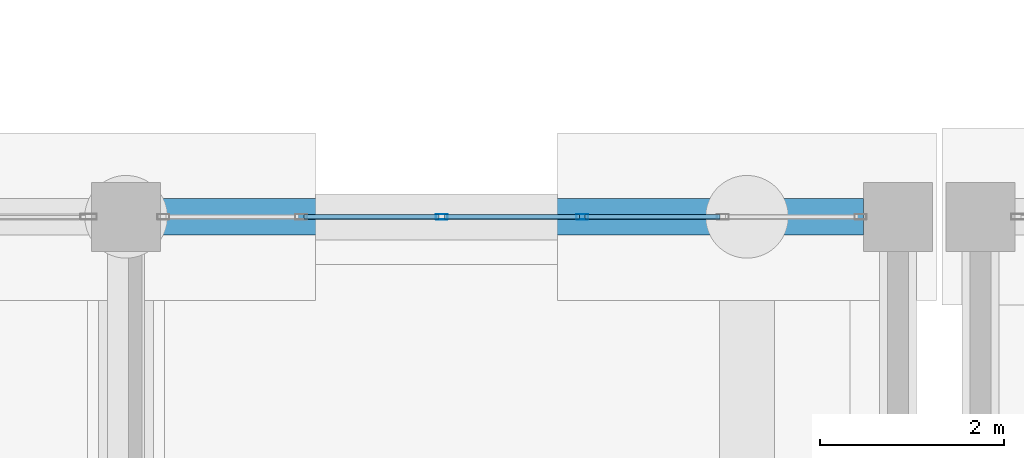
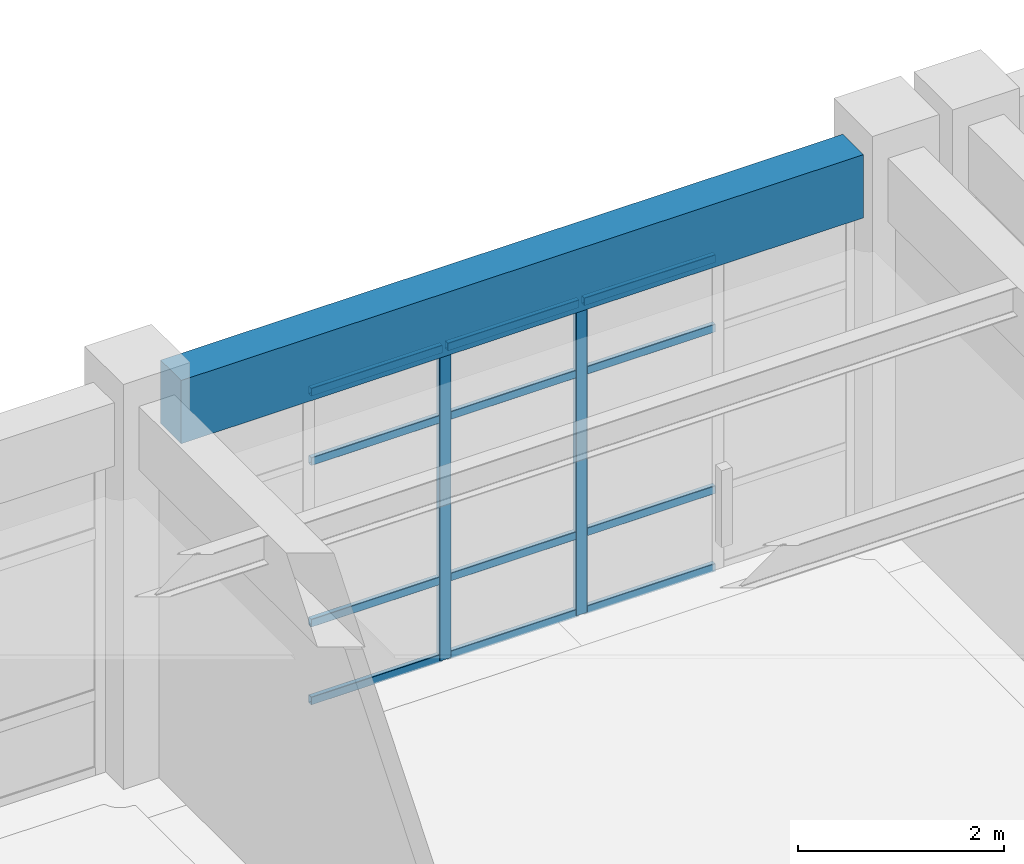
# One storey, part 7 of 29: 14 members, 1 beam, 1 element without a shape of its own.
"""IFC4 building model written with IfcOpenShell, lengths in metres."""

from ifc_helpers import new_model, si_unit, direction, frame, origin, origin_2d, place, context, subcontext, project, spatial, rectangle, hollow_rectangle, extrude, material, material_profile, profile_set, type_object, element, aggregate, save


model = new_model("IFC4")

# Units and contexts
model_context = context("Model", 3, precision=1e-05, world=origin(), true_north=direction((0.0, 1.0)))
body_context = subcontext(model_context, "Body", "Model", "MODEL_VIEW")
ifc_project = project(units=[si_unit("LENGTHUNIT", "METRE"), si_unit("AREAUNIT", "SQUARE_METRE"), si_unit("VOLUMEUNIT", "CUBIC_METRE"), si_unit("PLANEANGLEUNIT", "RADIAN"), si_unit("MASSUNIT", "GRAM", prefix="KILO")], contexts=[model_context])

# Site, building, storey
site_placement = place(None, origin())
site = spatial("IfcSite", under=ifc_project, at=site_placement, CompositionType="ELEMENT")
building_placement = place(site_placement, origin())
building = spatial("IfcBuilding", under=site, at=building_placement, Name="Canglan Escarpment Cableway Terminal", CompositionType="ELEMENT")
storey_placement = place(building_placement, origin())
storey = spatial("IfcBuildingStorey", under=building, at=storey_placement, Name="L00", CompositionType="ELEMENT", Elevation=0.0)

# Curtain wall, members
ifc_material_1 = material(Name="Anodized bronze aluminium and Low-E double glazing", Category="aluminium")
curtain_wall_type = type_object("IfcCurtainWallType", Name="CW-BAY-7650x3725", PredefinedType="NOTDEFINED", material=ifc_material_1)
curtain_wall_placement = place(storey_placement, origin())
curtain_wall = element("IfcCurtainWall", 1, at=curtain_wall_placement, inside=storey, type_object=curtain_wall_type, Name="Classical bay-between-piers glazed curtain wall CW-01", PredefinedType="NOTDEFINED")
ifc_material_2 = material(Name="Thermally broken anodized aluminium 6063-T6", Category="aluminium")
ifc_material_profile_1 = material_profile(ifc_material_2, hollow_rectangle(XDim=0.06005859375, YDim=0.1298828125, WallThickness=0.0029296875, InnerFilletRadius=0.0029296875, OuterFilletRadius=0.006103515625, at=origin_2d()), Name="ALU-MULL 60x130x3")
ifc_profile_set_1 = profile_set([ifc_material_profile_1], Name="Thermally broken anodized aluminium 6063-T6")
member_type_1 = type_object("IfcMemberType", Name="CWM-01", PredefinedType="MULLION", material=ifc_profile_set_1)
member_1_placement = place(storey_placement, frame((38.1650390625, 24.800048828125, 0.0), z_axis=(0.0, 0.0, 1.0), x_axis=(0.0, -1.0, 0.0)))
member_1 = element("IfcMember", 2, at=member_1_placement, type_object=member_type_1, Name="CW-01 mullion 3", PredefinedType="MULLION", context=body_context, shape_type="SweptSolid", body=[
    extrude(hollow_rectangle(XDim=0.06005859375, YDim=0.1298828125, WallThickness=0.0029296875, InnerFilletRadius=0.0029296875, OuterFilletRadius=0.006103515625, at=origin_2d()), origin(), (0.0, 0.0, 1.0), 3.715087890625),
])
member_2_placement = place(storey_placement, frame((36.635009765625, 24.800048828125, 0.0), z_axis=(0.0, 0.0, 1.0), x_axis=(0.0, -1.0, 0.0)))
member_2 = element("IfcMember", 3, at=member_2_placement, type_object=member_type_1, Name="CW-01 mullion 4", PredefinedType="MULLION", context=body_context, shape_type="SweptSolid", body=[
    extrude(hollow_rectangle(XDim=0.06005859375, YDim=0.1298828125, WallThickness=0.0029296875, InnerFilletRadius=0.0029296875, OuterFilletRadius=0.006103515625, at=origin_2d()), origin(), (0.0, 0.0, 1.0), 3.715087890625),
])
ifc_material_profile_2 = material_profile(ifc_material_2, hollow_rectangle(XDim=0.054931640625, YDim=0.094970703125, WallThickness=0.0029296875, InnerFilletRadius=0.0029296875, OuterFilletRadius=0.006103515625, at=origin_2d()), Name="ALU-TRAN 55x95x3")
ifc_profile_set_2 = profile_set([ifc_material_profile_2], Name="Thermally broken anodized aluminium 6063-T6")
member_type_2 = type_object("IfcMemberType", Name="CWT-01", PredefinedType="USERDEFINED", material=ifc_profile_set_2)
member_3_placement = place(storey_placement, frame((39.6650390625, 24.800048828125, 0.027587890625), z_axis=(-1.0, 0.0, 0.0), x_axis=(0.0, -1.0, 0.0)))
member_3 = element("IfcMember", 4, at=member_3_placement, type_object=member_type_2, Name="CW-01 transom 2.1", ObjectType="TRANSOM", PredefinedType="USERDEFINED", context=body_context, shape_type="SweptSolid", body=[
    extrude(hollow_rectangle(XDim=0.054931640625, YDim=0.094970703125, WallThickness=0.0029296875, InnerFilletRadius=0.0029296875, OuterFilletRadius=0.006103515625, at=origin_2d()), origin(), (0.0, 0.0, 1.0), 1.469970703125),
])
member_4_placement = place(storey_placement, frame((39.6650390625, 24.800048828125, 0.949951171875), z_axis=(-1.0, 0.0, 0.0), x_axis=(0.0, -1.0, 0.0)))
member_4 = element("IfcMember", 5, at=member_4_placement, type_object=member_type_2, Name="CW-01 transom 2.2", ObjectType="TRANSOM", PredefinedType="USERDEFINED", context=body_context, shape_type="SweptSolid", body=[
    extrude(hollow_rectangle(XDim=0.054931640625, YDim=0.094970703125, WallThickness=0.0029296875, InnerFilletRadius=0.0029296875, OuterFilletRadius=0.006103515625, at=origin_2d()), origin(), (0.0, 0.0, 1.0), 1.469970703125),
])
member_5_placement = place(storey_placement, frame((39.6650390625, 24.800048828125, 2.864990234375), z_axis=(-1.0, 0.0, 0.0), x_axis=(0.0, -1.0, 0.0)))
member_5 = element("IfcMember", 6, at=member_5_placement, type_object=member_type_2, Name="CW-01 transom 2.3", ObjectType="TRANSOM", PredefinedType="USERDEFINED", context=body_context, shape_type="SweptSolid", body=[
    extrude(hollow_rectangle(XDim=0.054931640625, YDim=0.094970703125, WallThickness=0.0029296875, InnerFilletRadius=0.0029296875, OuterFilletRadius=0.006103515625, at=origin_2d()), origin(), (0.0, 0.0, 1.0), 1.469970703125),
])
member_6_placement = place(storey_placement, frame((39.6650390625, 24.800048828125, 3.6875), z_axis=(-1.0, 0.0, 0.0), x_axis=(0.0, -1.0, 0.0)))
member_6 = element("IfcMember", 7, at=member_6_placement, type_object=member_type_2, Name="CW-01 transom 2.4", ObjectType="TRANSOM", PredefinedType="USERDEFINED", context=body_context, shape_type="SweptSolid", body=[
    extrude(hollow_rectangle(XDim=0.054931640625, YDim=0.094970703125, WallThickness=0.0029296875, InnerFilletRadius=0.0029296875, OuterFilletRadius=0.006103515625, at=origin_2d()), origin(), (0.0, 0.0, 1.0), 1.469970703125),
])
member_7_placement = place(storey_placement, frame((38.135009765625, 24.800048828125, 0.027587890625), z_axis=(-1.0, 0.0, 0.0), x_axis=(0.0, -1.0, 0.0)))
member_7 = element("IfcMember", 8, at=member_7_placement, type_object=member_type_2, Name="CW-01 transom 3.1", ObjectType="TRANSOM", PredefinedType="USERDEFINED", context=body_context, shape_type="SweptSolid", body=[
    extrude(hollow_rectangle(XDim=0.054931640625, YDim=0.094970703125, WallThickness=0.0029296875, InnerFilletRadius=0.0029296875, OuterFilletRadius=0.006103515625, at=origin_2d()), origin(), (0.0, 0.0, 1.0), 1.469970703125),
])
member_8_placement = place(storey_placement, frame((38.135009765625, 24.800048828125, 0.949951171875), z_axis=(-1.0, 0.0, 0.0), x_axis=(0.0, -1.0, 0.0)))
member_8 = element("IfcMember", 9, at=member_8_placement, type_object=member_type_2, Name="CW-01 transom 3.2", ObjectType="TRANSOM", PredefinedType="USERDEFINED", context=body_context, shape_type="SweptSolid", body=[
    extrude(hollow_rectangle(XDim=0.054931640625, YDim=0.094970703125, WallThickness=0.0029296875, InnerFilletRadius=0.0029296875, OuterFilletRadius=0.006103515625, at=origin_2d()), origin(), (0.0, 0.0, 1.0), 1.469970703125),
])
member_9_placement = place(storey_placement, frame((38.135009765625, 24.800048828125, 2.864990234375), z_axis=(-1.0, 0.0, 0.0), x_axis=(0.0, -1.0, 0.0)))
member_9 = element("IfcMember", 10, at=member_9_placement, type_object=member_type_2, Name="CW-01 transom 3.3", ObjectType="TRANSOM", PredefinedType="USERDEFINED", context=body_context, shape_type="SweptSolid", body=[
    extrude(hollow_rectangle(XDim=0.054931640625, YDim=0.094970703125, WallThickness=0.0029296875, InnerFilletRadius=0.0029296875, OuterFilletRadius=0.006103515625, at=origin_2d()), origin(), (0.0, 0.0, 1.0), 1.469970703125),
])
member_10_placement = place(storey_placement, frame((38.135009765625, 24.800048828125, 3.6875), z_axis=(-1.0, 0.0, 0.0), x_axis=(0.0, -1.0, 0.0)))
member_10 = element("IfcMember", 11, at=member_10_placement, type_object=member_type_2, Name="CW-01 transom 3.4", ObjectType="TRANSOM", PredefinedType="USERDEFINED", context=body_context, shape_type="SweptSolid", body=[
    extrude(hollow_rectangle(XDim=0.054931640625, YDim=0.094970703125, WallThickness=0.0029296875, InnerFilletRadius=0.0029296875, OuterFilletRadius=0.006103515625, at=origin_2d()), origin(), (0.0, 0.0, 1.0), 1.469970703125),
])
member_11_placement = place(storey_placement, frame((36.60498046875, 24.800048828125, 0.027587890625), z_axis=(-1.0, 0.0, 0.0), x_axis=(0.0, -1.0, 0.0)))
member_11 = element("IfcMember", 12, at=member_11_placement, type_object=member_type_2, Name="CW-01 transom 4.1", ObjectType="TRANSOM", PredefinedType="USERDEFINED", context=body_context, shape_type="SweptSolid", body=[
    extrude(hollow_rectangle(XDim=0.054931640625, YDim=0.094970703125, WallThickness=0.0029296875, InnerFilletRadius=0.0029296875, OuterFilletRadius=0.006103515625, at=origin_2d()), origin(), (0.0, 0.0, 1.0), 1.469970703125),
])
member_12_placement = place(storey_placement, frame((36.60498046875, 24.800048828125, 0.949951171875), z_axis=(-1.0, 0.0, 0.0), x_axis=(0.0, -1.0, 0.0)))
member_12 = element("IfcMember", 13, at=member_12_placement, type_object=member_type_2, Name="CW-01 transom 4.2", ObjectType="TRANSOM", PredefinedType="USERDEFINED", context=body_context, shape_type="SweptSolid", body=[
    extrude(hollow_rectangle(XDim=0.054931640625, YDim=0.094970703125, WallThickness=0.0029296875, InnerFilletRadius=0.0029296875, OuterFilletRadius=0.006103515625, at=origin_2d()), origin(), (0.0, 0.0, 1.0), 1.469970703125),
])
member_13_placement = place(storey_placement, frame((36.60498046875, 24.800048828125, 2.864990234375), z_axis=(-1.0, 0.0, 0.0), x_axis=(0.0, -1.0, 0.0)))
member_13 = element("IfcMember", 14, at=member_13_placement, type_object=member_type_2, Name="CW-01 transom 4.3", ObjectType="TRANSOM", PredefinedType="USERDEFINED", context=body_context, shape_type="SweptSolid", body=[
    extrude(hollow_rectangle(XDim=0.054931640625, YDim=0.094970703125, WallThickness=0.0029296875, InnerFilletRadius=0.0029296875, OuterFilletRadius=0.006103515625, at=origin_2d()), origin(), (0.0, 0.0, 1.0), 1.469970703125),
])
member_14_placement = place(storey_placement, frame((36.60498046875, 24.800048828125, 3.6875), z_axis=(-1.0, 0.0, 0.0), x_axis=(0.0, -1.0, 0.0)))
member_14 = element("IfcMember", 15, at=member_14_placement, type_object=member_type_2, Name="CW-01 transom 4.4", ObjectType="TRANSOM", PredefinedType="USERDEFINED", context=body_context, shape_type="SweptSolid", body=[
    extrude(hollow_rectangle(XDim=0.054931640625, YDim=0.094970703125, WallThickness=0.0029296875, InnerFilletRadius=0.0029296875, OuterFilletRadius=0.006103515625, at=origin_2d()), origin(), (0.0, 0.0, 1.0), 1.469970703125),
])
aggregate(curtain_wall, [member_1, member_2, member_3, member_4, member_5, member_6, member_7, member_8, member_9, member_10, member_11, member_12, member_13, member_14])

# Beam
ifc_material_3 = material(Name="Concrete C40", Category="concrete")
ifc_material_profile_3 = material_profile(ifc_material_3, rectangle(XDim=0.39990234375, YDim=0.75, at=origin_2d()), Name="RC 400x750")
ifc_profile_set_3 = profile_set([ifc_material_profile_3], Name="Concrete C40")
beam_type = type_object("IfcBeamType", Name="SP-RC400x750", PredefinedType="SPANDREL", material=ifc_profile_set_3)
beam_placement = place(storey_placement, frame((33.574951171875, 24.800048828125, 4.10498046875), z_axis=(1.0, 0.0, 0.0), x_axis=(0.0, 1.0, 0.0)))
element("IfcBeam", 16, at=beam_placement, inside=storey, type_object=beam_type, Name="Primary structural girder SP-01", PredefinedType="SPANDREL", context=body_context, shape_type="SweptSolid", body=[
    extrude(rectangle(XDim=0.39990234375, YDim=0.75, at=origin_2d()), origin(), (0.0, 0.0, 1.0), 7.650146484375),
])

save(model, "model.ifc")
